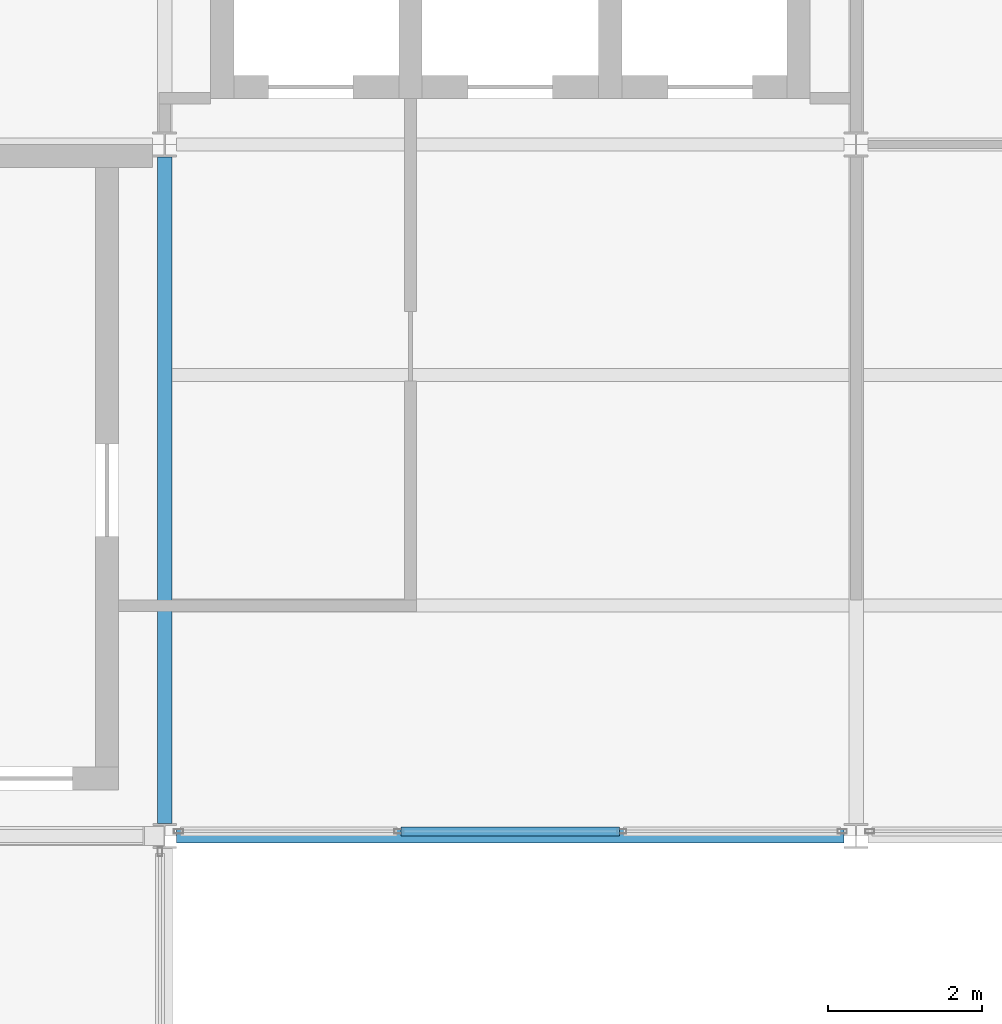
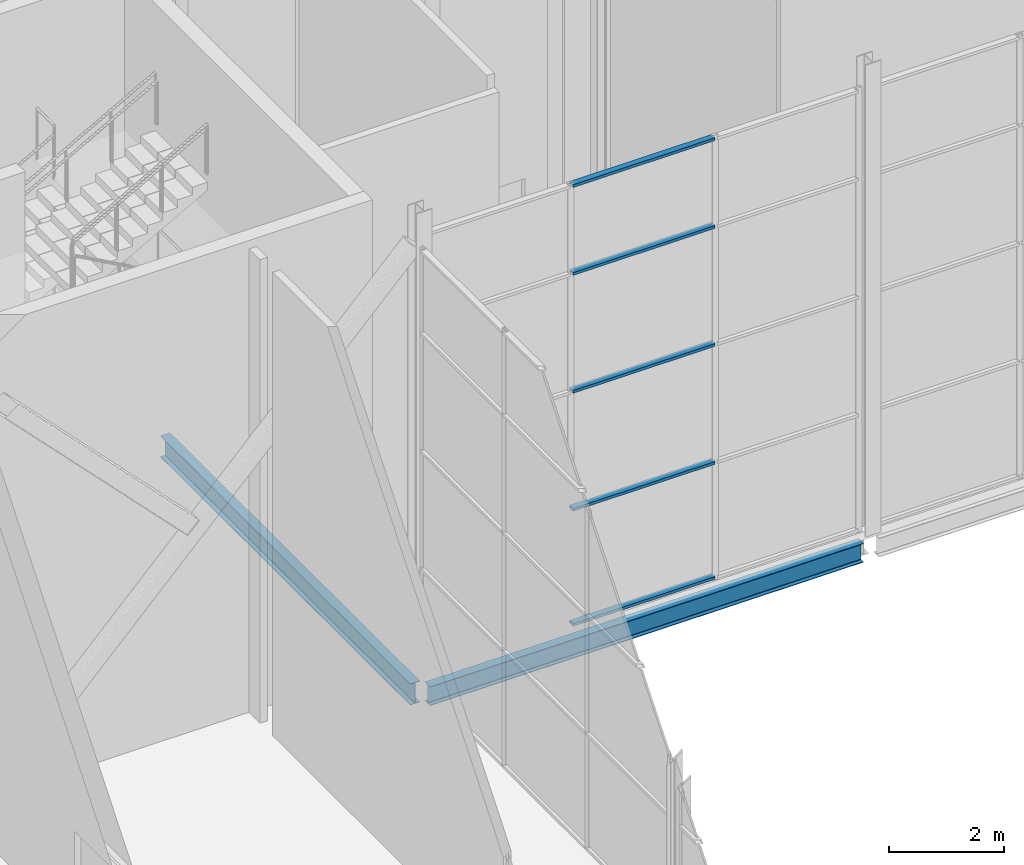
# One storey, part 39 of 111: 5 members, 2 beams, 1 element without a shape of its own.
"""IFC4 building model written with IfcOpenShell, lengths in metres."""

from ifc_helpers import new_model, si_unit, direction, frame, origin, origin_2d, place, context, subcontext, project, spatial, hollow_rectangle, i_section, extrude, material, layer, layer_set, material_profile, profile_set, type_object, element, aggregate, save


model = new_model("IFC4")

# Units and contexts
model_context = context("Model", 3, precision=1e-05, world=origin(), true_north=direction((0.0, 1.0)))
body_context = subcontext(model_context, "Body", "Model", "MODEL_VIEW")
ifc_project = project(units=[si_unit("LENGTHUNIT", "METRE"), si_unit("AREAUNIT", "SQUARE_METRE"), si_unit("VOLUMEUNIT", "CUBIC_METRE"), si_unit("PLANEANGLEUNIT", "RADIAN"), si_unit("MASSUNIT", "GRAM", prefix="KILO")], contexts=[model_context])

# Site, building, storey
site_placement = place(None, origin())
site = spatial("IfcSite", under=ifc_project, at=site_placement, CompositionType="ELEMENT")
building_placement = place(site_placement, origin())
building = spatial("IfcBuilding", under=site, at=building_placement, Name="Shorebreak Coast Museum", CompositionType="ELEMENT")
storey_placement = place(building_placement, frame((0.0, 0.0, 16.0)))
storey = spatial("IfcBuildingStorey", under=building, at=storey_placement, Name="L03", CompositionType="ELEMENT", Elevation=16.0)

# Beams
ifc_material_1 = material(Name="Steel Grade 300", Category="steel")
ifc_material_profile_1 = material_profile(ifc_material_1, i_section(OverallWidth=0.177978515625, OverallDepth=0.402587890625, WebThickness=0.007568359375, FlangeThickness=0.010986328125, FilletRadius=0.011474609375, at=origin_2d()), Name="410UB53.7")
ifc_profile_set_1 = profile_set([ifc_material_profile_1], Name="Steel Grade 300")
beam_type_1 = type_object("IfcBeamType", Name="Floor girder east-west 410UB53.7", PredefinedType="BEAM", material=ifc_profile_set_1)
beam_1_placement = place(storey_placement, frame((63.155517578125, 81.0, -0.376220703125), z_axis=(1.0, 0.0, 0.0), x_axis=(0.0, 1.0, 0.0)))
element("IfcBeam", 1, at=beam_1_placement, inside=storey, type_object=beam_type_1, Name="Floor girder east-west L03 8K", PredefinedType="BEAM", context=body_context, shape_type="SweptSolid", body=[
    extrude(i_section(OverallWidth=0.177978515625, OverallDepth=0.402587890625, WebThickness=0.007568359375, FlangeThickness=0.010986328125, FilletRadius=0.011474609375, at=origin_2d()), origin(), (0.0, 0.0, 1.0), 8.68896484375),
])
ifc_material_2 = material(Name="Steel Grade 300", Category="steel")
ifc_material_profile_2 = material_profile(ifc_material_2, i_section(OverallWidth=0.18994140625, OverallDepth=0.453857421875, WebThickness=0.008544921875, FlangeThickness=0.0126953125, FilletRadius=0.011474609375, at=origin_2d()), Name="460UB67.1")
ifc_profile_set_2 = profile_set([ifc_material_profile_2], Name="Steel Grade 300")
beam_type_2 = type_object("IfcBeamType", Name="Floor girder north-south 460UB67.1", PredefinedType="BEAM", material=ifc_profile_set_2)
beam_2_placement = place(storey_placement, frame((63.0, 81.16357421875, -0.40185546875), z_axis=(0.0, 1.0, 0.0), x_axis=(-1.0, 0.0, 0.0)))
element("IfcBeam", 2, at=beam_2_placement, inside=storey, type_object=beam_type_2, Name="Floor girder north-south L03 8K", PredefinedType="BEAM", context=body_context, shape_type="SweptSolid", body=[
    extrude(i_section(OverallWidth=0.18994140625, OverallDepth=0.453857421875, WebThickness=0.008544921875, FlangeThickness=0.0126953125, FilletRadius=0.011474609375, at=origin_2d()), origin(), (0.0, 0.0, 1.0), 8.6728515625),
])

# Curtain wall, members
ifc_material_3 = material(Name="Aluminium", Category="aluminium")
ifc_layer = layer(ifc_material_3, 0.1201171875)
ifc_layer_set = layer_set([ifc_layer], Name="Aluminium")
curtain_wall_type = type_object("IfcCurtainWallType", Name="Atrium fire screen", PredefinedType="NOTDEFINED", material=ifc_layer_set)
curtain_wall_placement = place(storey_placement, origin())
curtain_wall = element("IfcCurtainWall", 3, at=curtain_wall_placement, inside=storey, type_object=curtain_wall_type, Name="Atrium screen L03 N 39", PredefinedType="NOTDEFINED")
ifc_material_4 = material(Name="Aluminium", Category="aluminium")
ifc_material_profile_3 = material_profile(ifc_material_4, hollow_rectangle(XDim=0.1201171875, YDim=0.06005859375, WallThickness=0.00341796875, at=origin_2d()), Name="AL 60x120 RHS")
ifc_profile_set_3 = profile_set([ifc_material_profile_3], Name="Aluminium")
member_type = type_object("IfcMemberType", Name="Screen transom 120 x 50", PredefinedType="USERDEFINED", material=ifc_profile_set_3)
member_1_placement = place(storey_placement, frame((66.076416015625, 81.06005859375, 0.06005859375), z_axis=(1.0, 0.0, 0.0), x_axis=(0.0, 1.0, 0.0)))
member_1 = element("IfcMember", 4, at=member_1_placement, type_object=member_type, Name="CW4 transom 2.1", ObjectType="TRANSOM", PredefinedType="USERDEFINED", context=body_context, shape_type="SweptSolid", body=[
    extrude(hollow_rectangle(XDim=0.1201171875, YDim=0.06005859375, WallThickness=0.00341796875, at=origin_2d()), origin(), (0.0, 0.0, 1.0), 2.84716796875),
])
member_2_placement = place(storey_placement, frame((66.076416015625, 81.06005859375, 2.5), z_axis=(1.0, 0.0, 0.0), x_axis=(0.0, 1.0, 0.0)))
member_2 = element("IfcMember", 5, at=member_2_placement, type_object=member_type, Name="CW4 transom 2.2", ObjectType="TRANSOM", PredefinedType="USERDEFINED", context=body_context, shape_type="SweptSolid", body=[
    extrude(hollow_rectangle(XDim=0.1201171875, YDim=0.06005859375, WallThickness=0.00341796875, at=origin_2d()), origin(), (0.0, 0.0, 1.0), 2.84716796875),
])
member_3_placement = place(storey_placement, frame((66.076416015625, 81.06005859375, 5.0), z_axis=(1.0, 0.0, 0.0), x_axis=(0.0, 1.0, 0.0)))
member_3 = element("IfcMember", 6, at=member_3_placement, type_object=member_type, Name="CW4 transom 2.3", ObjectType="TRANSOM", PredefinedType="USERDEFINED", context=body_context, shape_type="SweptSolid", body=[
    extrude(hollow_rectangle(XDim=0.1201171875, YDim=0.06005859375, WallThickness=0.00341796875, at=origin_2d()), origin(), (0.0, 0.0, 1.0), 2.84716796875),
])
member_4_placement = place(storey_placement, frame((66.076416015625, 81.06005859375, 7.5), z_axis=(1.0, 0.0, 0.0), x_axis=(0.0, 1.0, 0.0)))
member_4 = element("IfcMember", 7, at=member_4_placement, type_object=member_type, Name="CW4 transom 2.4", ObjectType="TRANSOM", PredefinedType="USERDEFINED", context=body_context, shape_type="SweptSolid", body=[
    extrude(hollow_rectangle(XDim=0.1201171875, YDim=0.06005859375, WallThickness=0.00341796875, at=origin_2d()), origin(), (0.0, 0.0, 1.0), 2.84716796875),
])
member_5_placement = place(storey_placement, frame((66.076416015625, 81.06005859375, 9.3623046875), z_axis=(1.0, 0.0, 0.0), x_axis=(0.0, 1.0, 0.0)))
member_5 = element("IfcMember", 8, at=member_5_placement, type_object=member_type, Name="CW4 transom 2.5", ObjectType="TRANSOM", PredefinedType="USERDEFINED", context=body_context, shape_type="SweptSolid", body=[
    extrude(hollow_rectangle(XDim=0.1201171875, YDim=0.06005859375, WallThickness=0.00341796875, at=origin_2d()), origin(), (0.0, 0.0, 1.0), 2.84716796875),
])
aggregate(curtain_wall, [member_1, member_2, member_3, member_4, member_5])

save(model, "model.ifc")
